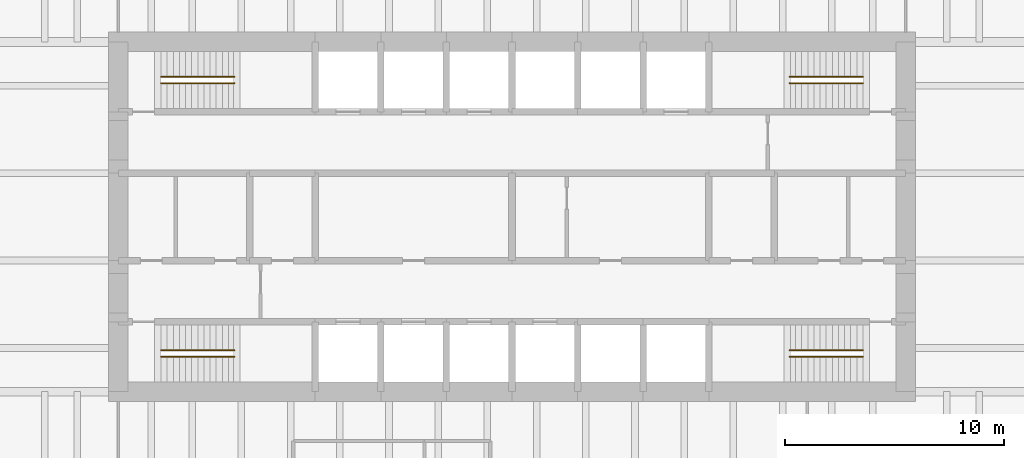
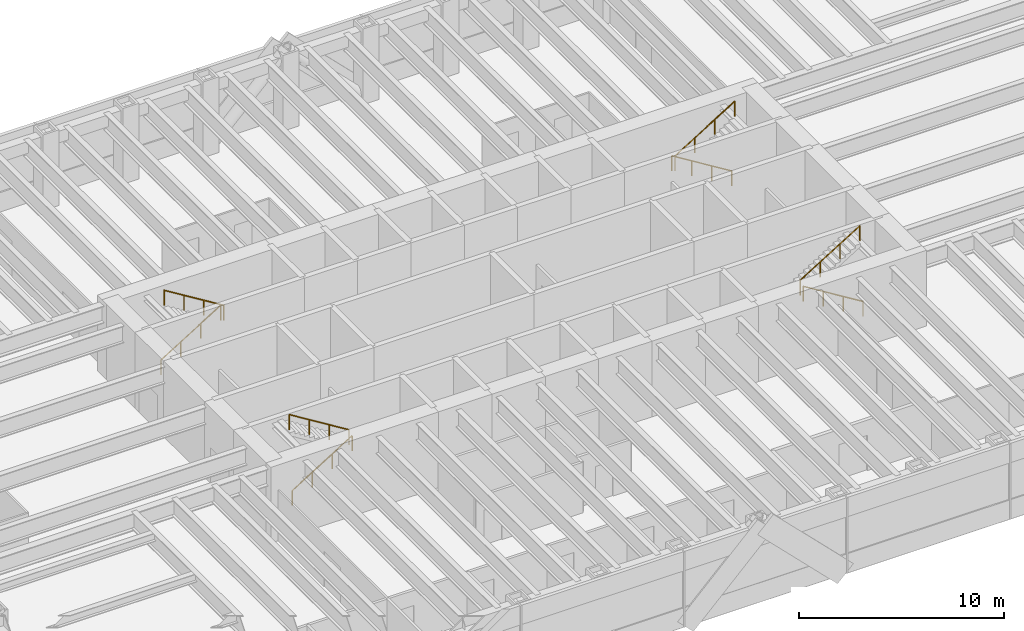
# One storey, part 13 of 13: 8 railings.
"""IFC4 building model written with IfcOpenShell, lengths in metres."""

from ifc_helpers import new_model, si_unit, direction, frame, origin, origin_2d, place, context, subcontext, project, spatial, circle, extrude, material, type_object, element, save


model = new_model("IFC4")

# Units and contexts
model_context = context("Model", 3, precision=1e-05, world=origin(), true_north=direction((0.0, 1.0)))
body_context = subcontext(model_context, "Body", "Model", "MODEL_VIEW")
ifc_project = project(units=[si_unit("LENGTHUNIT", "METRE"), si_unit("AREAUNIT", "SQUARE_METRE"), si_unit("VOLUMEUNIT", "CUBIC_METRE"), si_unit("PLANEANGLEUNIT", "RADIAN"), si_unit("MASSUNIT", "GRAM", prefix="KILO")], contexts=[model_context])

# Site, building, storey
site_placement = place(None, origin())
site = spatial("IfcSite", under=ifc_project, at=site_placement, CompositionType="ELEMENT")
building_placement = place(site_placement, origin())
building = spatial("IfcBuilding", under=site, at=building_placement, Name="Rheinbord Bourse Tower", CompositionType="ELEMENT")
storey_placement = place(building_placement, frame((0.0, 0.0, 90.5)))
storey = spatial("IfcBuildingStorey", under=building, at=storey_placement, Name="L19", CompositionType="ELEMENT", Elevation=90.5)

# Railings
ifc_material = material(Name="Steel handrail", Category="steel")
railing_type = type_object("IfcRailingType", Name="HANDRAIL 900", PredefinedType="HANDRAIL", material=ifc_material)
railing_1_placement = place(storey_placement, frame((19.949951171875, 17.60009765625, 0.173095703125)))
element("IfcRailing", 1, at=railing_1_placement, inside=storey, type_object=railing_type, Name="Handrail", PredefinedType="HANDRAIL", context=body_context, shape_type="SweptSolid", body=[
    extrude(circle(Radius=0.02392578125, at=origin_2d()), frame((0.0, 0.0, 0.8759765625), z_axis=(0.850623216509, 0.0, 0.525775754039), x_axis=(0.0, 1.0, 0.0)), (0.0, 0.0, 1.0), 3.9501953125),
    extrude(circle(Radius=0.02099609375, at=origin_2d()), origin(), (0.0, 0.0, 1.0), 0.851806640625),
    extrude(circle(Radius=0.02099609375, at=origin_2d()), frame((1.1201171875, 0.0, 0.6923828125)), (0.0, 0.0, 1.0), 0.851806640625),
    extrude(circle(Radius=0.02099609375, at=origin_2d()), frame((2.239990234375, 0.0, 1.384521484375)), (0.0, 0.0, 1.0), 0.851806640625),
    extrude(circle(Radius=0.02099609375, at=origin_2d()), frame((3.360107421875, 0.0, 2.076904296875)), (0.0, 0.0, 1.0), 0.851806640625),
])
railing_2_placement = place(storey_placement, frame((23.31005859375, 17.89990234375, 2.423095703125)))
element("IfcRailing", 2, at=railing_2_placement, inside=storey, type_object=railing_type, Name="Handrail", PredefinedType="HANDRAIL", context=body_context, shape_type="SweptSolid", body=[
    extrude(circle(Radius=0.02392578125, at=origin_2d()), frame((0.0, 0.0, 0.8759765625), z_axis=(-0.850623216509, 0.0, 0.525775754039), x_axis=(0.0, -1.0, 0.0)), (0.0, 0.0, 1.0), 3.9501953125),
    extrude(circle(Radius=0.02099609375, at=origin_2d()), origin(), (0.0, 0.0, 1.0), 0.851806640625),
    extrude(circle(Radius=0.02099609375, at=origin_2d()), frame((-1.1201171875, 0.0, 0.6923828125)), (0.0, 0.0, 1.0), 0.851806640625),
    extrude(circle(Radius=0.02099609375, at=origin_2d()), frame((-2.239990234375, 0.0, 1.384521484375)), (0.0, 0.0, 1.0), 0.851806640625),
    extrude(circle(Radius=0.02099609375, at=origin_2d()), frame((-3.360107421875, 0.0, 2.076904296875)), (0.0, 0.0, 1.0), 0.851806640625),
])
railing_3_placement = place(storey_placement, frame((19.949951171875, 30.39990234375, 0.173095703125)))
element("IfcRailing", 3, at=railing_3_placement, inside=storey, type_object=railing_type, Name="Handrail", PredefinedType="HANDRAIL", context=body_context, shape_type="SweptSolid", body=[
    extrude(circle(Radius=0.02392578125, at=origin_2d()), frame((0.0, 0.0, 0.8759765625), z_axis=(0.850623216509, 0.0, 0.525775754039), x_axis=(0.0, 1.0, 0.0)), (0.0, 0.0, 1.0), 3.9501953125),
    extrude(circle(Radius=0.02099609375, at=origin_2d()), origin(), (0.0, 0.0, 1.0), 0.851806640625),
    extrude(circle(Radius=0.02099609375, at=origin_2d()), frame((1.1201171875, 0.0, 0.6923828125)), (0.0, 0.0, 1.0), 0.851806640625),
    extrude(circle(Radius=0.02099609375, at=origin_2d()), frame((2.239990234375, 0.0, 1.384521484375)), (0.0, 0.0, 1.0), 0.851806640625),
    extrude(circle(Radius=0.02099609375, at=origin_2d()), frame((3.360107421875, 0.0, 2.076904296875)), (0.0, 0.0, 1.0), 0.851806640625),
])
for number, where, name in (
    (4, (23.31005859375, 30.10009765625, 2.423095703125), "Handrail"),
    (5, (52.050048828125, 17.60009765625, 0.173095703125), "Handrail"),
):
    element("IfcRailing", number, at=place(storey_placement, frame(where)), inside=storey, type_object=railing_type, Name=name, PredefinedType="HANDRAIL", context=body_context, shape_type="SweptSolid", body=[
        extrude(circle(Radius=0.02392578125, at=origin_2d()), frame((0.0, 0.0, 0.8759765625), z_axis=(-0.850623216509, 0.0, 0.525775754039), x_axis=(0.0, -1.0, 0.0)), (0.0, 0.0, 1.0), 3.9501953125),
        extrude(circle(Radius=0.02099609375, at=origin_2d()), origin(), (0.0, 0.0, 1.0), 0.851806640625),
        extrude(circle(Radius=0.02099609375, at=origin_2d()), frame((-1.1201171875, 0.0, 0.6923828125)), (0.0, 0.0, 1.0), 0.851806640625),
        extrude(circle(Radius=0.02099609375, at=origin_2d()), frame((-2.239990234375, 0.0, 1.384521484375)), (0.0, 0.0, 1.0), 0.851806640625),
        extrude(circle(Radius=0.02099609375, at=origin_2d()), frame((-3.360107421875, 0.0, 2.076904296875)), (0.0, 0.0, 1.0), 0.851806640625),
    ])
railing_4_placement = place(storey_placement, frame((48.68994140625, 17.89990234375, 2.423095703125)))
element("IfcRailing", 6, at=railing_4_placement, inside=storey, type_object=railing_type, Name="Handrail", PredefinedType="HANDRAIL", context=body_context, shape_type="SweptSolid", body=[
    extrude(circle(Radius=0.02392578125, at=origin_2d()), frame((0.0, 0.0, 0.8759765625), z_axis=(0.850623216509, 0.0, 0.525775754039), x_axis=(0.0, 1.0, 0.0)), (0.0, 0.0, 1.0), 3.9501953125),
    extrude(circle(Radius=0.02099609375, at=origin_2d()), origin(), (0.0, 0.0, 1.0), 0.851806640625),
    extrude(circle(Radius=0.02099609375, at=origin_2d()), frame((1.1201171875, 0.0, 0.6923828125)), (0.0, 0.0, 1.0), 0.851806640625),
    extrude(circle(Radius=0.02099609375, at=origin_2d()), frame((2.239990234375, 0.0, 1.384521484375)), (0.0, 0.0, 1.0), 0.851806640625),
    extrude(circle(Radius=0.02099609375, at=origin_2d()), frame((3.360107421875, 0.0, 2.076904296875)), (0.0, 0.0, 1.0), 0.851806640625),
])
railing_5_placement = place(storey_placement, frame((52.050048828125, 30.39990234375, 0.173095703125)))
element("IfcRailing", 7, at=railing_5_placement, inside=storey, type_object=railing_type, Name="Handrail", PredefinedType="HANDRAIL", context=body_context, shape_type="SweptSolid", body=[
    extrude(circle(Radius=0.02392578125, at=origin_2d()), frame((0.0, 0.0, 0.8759765625), z_axis=(-0.850623216509, 0.0, 0.525775754039), x_axis=(0.0, -1.0, 0.0)), (0.0, 0.0, 1.0), 3.9501953125),
    extrude(circle(Radius=0.02099609375, at=origin_2d()), origin(), (0.0, 0.0, 1.0), 0.851806640625),
    extrude(circle(Radius=0.02099609375, at=origin_2d()), frame((-1.1201171875, 0.0, 0.6923828125)), (0.0, 0.0, 1.0), 0.851806640625),
    extrude(circle(Radius=0.02099609375, at=origin_2d()), frame((-2.239990234375, 0.0, 1.384521484375)), (0.0, 0.0, 1.0), 0.851806640625),
    extrude(circle(Radius=0.02099609375, at=origin_2d()), frame((-3.360107421875, 0.0, 2.076904296875)), (0.0, 0.0, 1.0), 0.851806640625),
])
railing_6_placement = place(storey_placement, frame((48.68994140625, 30.10009765625, 2.423095703125)))
element("IfcRailing", 8, at=railing_6_placement, inside=storey, type_object=railing_type, Name="Handrail", PredefinedType="HANDRAIL", context=body_context, shape_type="SweptSolid", body=[
    extrude(circle(Radius=0.02392578125, at=origin_2d()), frame((0.0, 0.0, 0.8759765625), z_axis=(0.850623216509, 0.0, 0.525775754039), x_axis=(0.0, 1.0, 0.0)), (0.0, 0.0, 1.0), 3.9501953125),
    extrude(circle(Radius=0.02099609375, at=origin_2d()), origin(), (0.0, 0.0, 1.0), 0.851806640625),
    extrude(circle(Radius=0.02099609375, at=origin_2d()), frame((1.1201171875, 0.0, 0.6923828125)), (0.0, 0.0, 1.0), 0.851806640625),
    extrude(circle(Radius=0.02099609375, at=origin_2d()), frame((2.239990234375, 0.0, 1.384521484375)), (0.0, 0.0, 1.0), 0.851806640625),
    extrude(circle(Radius=0.02099609375, at=origin_2d()), frame((3.360107421875, 0.0, 2.076904296875)), (0.0, 0.0, 1.0), 0.851806640625),
])

save(model, "model.ifc")
